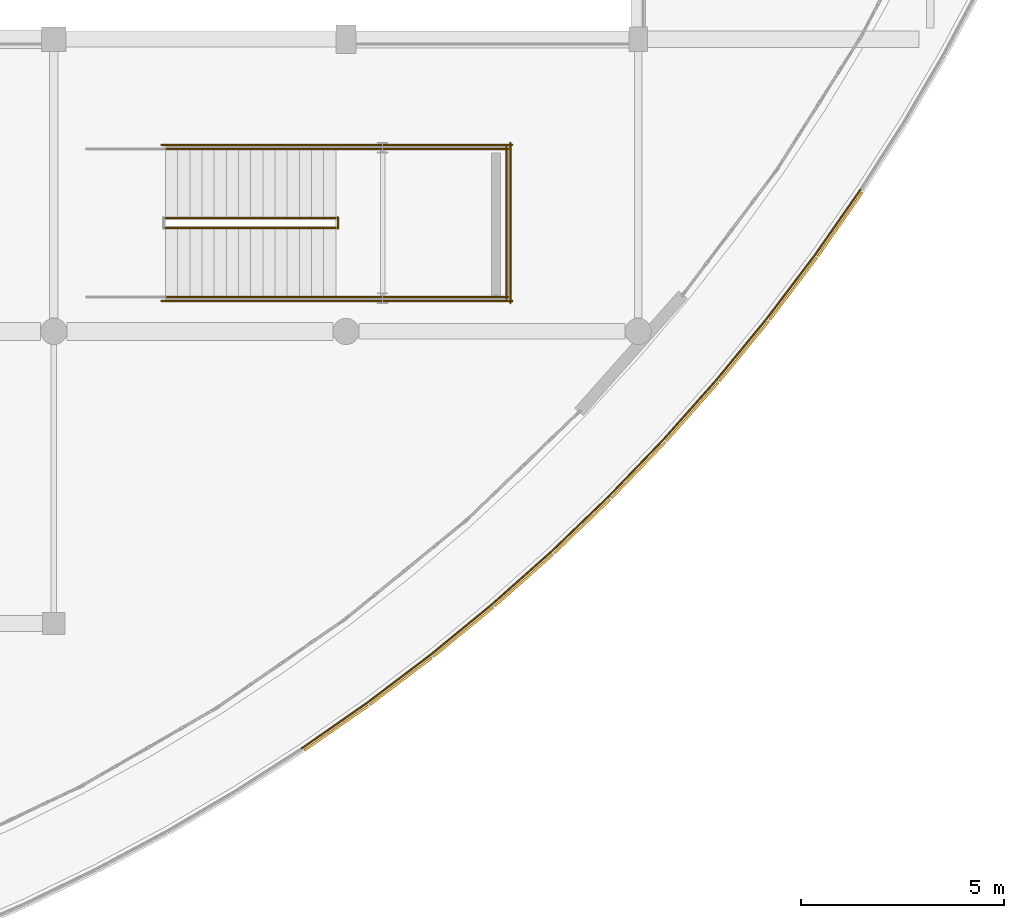
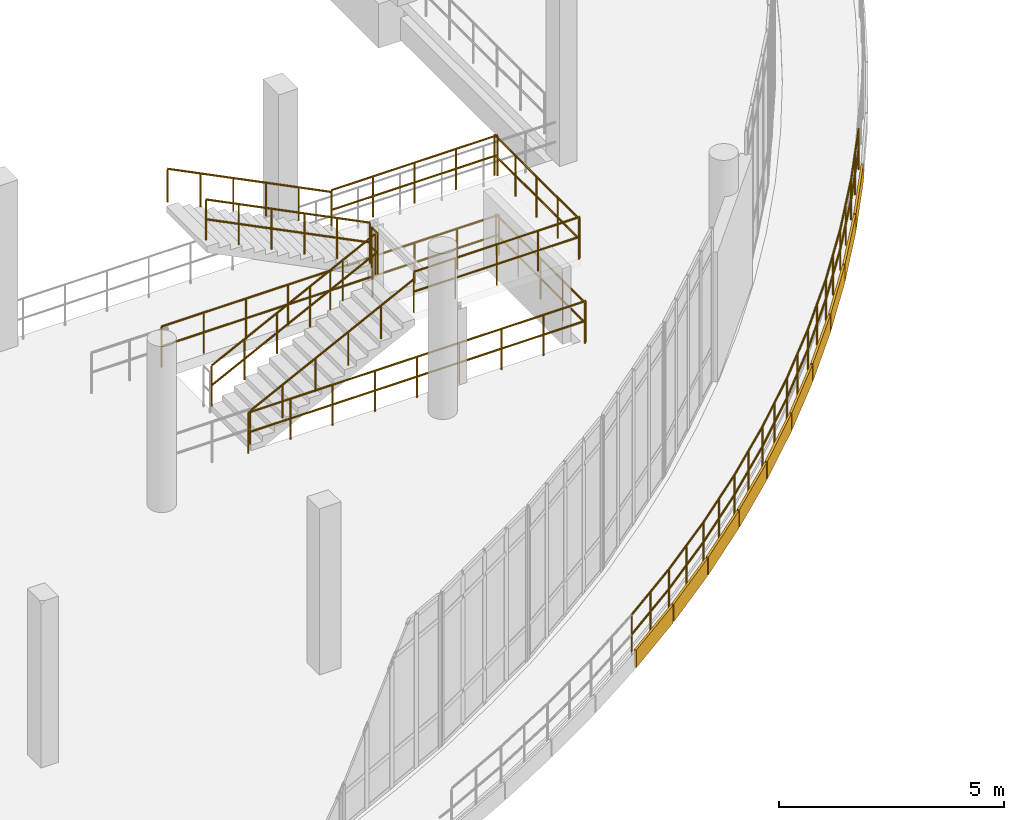
# One storey, part 117 of 124: 21 railings, 10 coverings.
"""IFC4 building model written with IfcOpenShell, lengths in metres."""

from ifc_helpers import new_model, si_unit, direction, frame, origin, origin_2d, place, context, subcontext, project, spatial, rectangle, circle, extrude, material, layer, layer_set, type_object, element, save


model = new_model("IFC4")

# Units and contexts
model_context = context("Model", 3, precision=1e-05, world=origin(), true_north=direction((0.0, 1.0)))
body_context = subcontext(model_context, "Body", "Model", "MODEL_VIEW")
ifc_project = project(units=[si_unit("LENGTHUNIT", "METRE"), si_unit("AREAUNIT", "SQUARE_METRE"), si_unit("VOLUMEUNIT", "CUBIC_METRE"), si_unit("PLANEANGLEUNIT", "RADIAN"), si_unit("MASSUNIT", "GRAM", prefix="KILO")], contexts=[model_context])

# Site, building, storey
site_placement = place(None, origin())
site = spatial("IfcSite", under=ifc_project, at=site_placement, CompositionType="ELEMENT")
building_placement = place(site_placement, origin())
building = spatial("IfcBuilding", under=site, at=building_placement, Name="Kalluvel Institute of Natural Sciences", CompositionType="ELEMENT")
storey_placement = place(building_placement, frame((0.0, 0.0, 9.89990234375)))
storey = spatial("IfcBuildingStorey", under=building, at=storey_placement, Name="L02", CompositionType="ELEMENT", Elevation=9.89990234375)

# Coverings
ifc_material_1 = material(Name="Sadarahalli Grey Granite Ashlar Concrete M40", Category="masonry")
ifc_layer = layer(ifc_material_1, 0.044921875)
ifc_layer_set = layer_set([ifc_layer], Name="Sadarahalli Grey Granite Ashlar Concrete M40")
covering_type = type_object("IfcCoveringType", Name="COV-CLAD-STONE", PredefinedType="CLADDING", material=ifc_layer_set)
for number, where, z_axis, x_axis, name in (
    (1, (64.160888671875, 61.820556640625, -0.31982421875), (0.0, 0.0, 1.0), (0.820451338314, 0.571716364519, 0.0), "L02 curved terrace Sadarahalli stone spandrel fascia 262"),
    (2, (65.747802734375, 62.973388671875, -0.31982421875), (0.0, 0.0, 1.0), (0.797267980545, 0.603625519008, 0.0), "L02 curved terrace Sadarahalli stone spandrel fascia 263"),
    (3, (67.2880859375, 64.187744140625, -0.31982421875), (0.0, 0.0, 1.0), (0.773065811677, 0.63432582386, 0.0), "L02 curved terrace Sadarahalli stone spandrel fascia 264"),
    (4, (68.779541015625, 65.461669921875, -0.31982421875), (0.0, 0.0, 1.0), (0.747450357056, 0.664317667789, 0.0), "L02 curved terrace Sadarahalli stone spandrel fascia 265"),
    (5, (70.219970703125, 66.793212890625, -0.31982421875), (0.0, 0.0, 1.0), (0.72091407724, 0.693024453563, 0.0), "L02 curved terrace Sadarahalli stone spandrel fascia 266"),
    (6, (71.60693359375, 68.179931640625, -0.31982421875), (0.0, 0.0, 1.0), (0.693024453563, 0.72091407724, 0.0), "L02 curved terrace Sadarahalli stone spandrel fascia 267"),
    (7, (72.938232421875, 69.620361328125, -0.31982421875), (0.0, 0.0, 1.0), (0.664317667789, 0.747450357056, 0.0), "L02 curved terrace Sadarahalli stone spandrel fascia 268"),
    (8, (74.212158203125, 71.11181640625, -0.31982421875), (0.0, 0.0, 1.0), (0.63432582386, 0.773065811677, 0.0), "L02 curved terrace Sadarahalli stone spandrel fascia 269"),
    (9, (75.426513671875, 72.652099609375, -0.31982421875), (0.0, 0.0, 1.0), (0.603625519008, 0.797267980545, 0.0), "L02 curved terrace Sadarahalli stone spandrel fascia 270"),
    (10, (76.579345703125, 74.239013671875, -0.31982421875), (0.0, 0.0, 1.0), (0.571716364519, 0.820451338314, 0.0), "L02 curved terrace Sadarahalli stone spandrel fascia 271"),
):
    element("IfcCovering", number, at=place(storey_placement, frame(where, z_axis=z_axis, x_axis=x_axis)), inside=storey, type_object=covering_type, Name=name, PredefinedType="CLADDING", context=body_context, shape_type="SweptSolid", body=[
        extrude(rectangle(XDim=1.92138671875, YDim=0.054931640625, at=origin_2d()), origin(), (0.0, 0.0, 1.0), 0.47998046875),
    ])

# Railings
ifc_material_2 = material(Name="Steel E350 Grade 350", Category="steel")
railing_type_1 = type_object("IfcRailingType", Name="RL-BAL-EXT", PredefinedType="BALUSTRADE", material=ifc_material_2)
railing_1_placement = place(storey_placement, frame((63.311767578125, 61.326416015625, 0.0)))
element("IfcRailing", 11, at=railing_1_placement, inside=storey, type_object=railing_type_1, Name="L02 curved atrium terrace balustrade", PredefinedType="BALUSTRADE", context=body_context, shape_type="SweptSolid", body=[
    extrude(circle(Radius=0.02392578125, at=origin_2d()), frame((0.0, 0.0, 1.09619140625), z_axis=(0.820424743832, 0.571754527493, 0.0), x_axis=(-0.571754527493, 0.820424743832, 0.0)), (0.0, 0.0, 1.0), 1.958740234375),
    extrude(circle(Radius=0.02392578125, at=origin_2d()), frame((0.0, 0.0, 0.56005859375), z_axis=(0.820424743832, 0.571754527493, 0.0), x_axis=(-0.571754527493, 0.820424743832, 0.0)), (0.0, 0.0, 1.0), 1.958740234375),
    extrude(circle(Radius=0.02099609375, at=origin_2d()), origin(), (0.0, 0.0, 1.0), 1.072021484375),
    extrude(circle(Radius=0.02099609375, at=origin_2d()), frame((0.803466796875, 0.56005859375, 0.0)), (0.0, 0.0, 1.0), 1.072021484375),
    extrude(circle(Radius=0.02099609375, at=origin_2d()), frame((1.60693359375, 1.119873046875, 0.0)), (0.0, 0.0, 1.0), 1.072021484375),
])
railing_2_placement = place(storey_placement, frame((64.918701171875, 62.4462890625, 0.0)))
element("IfcRailing", 12, at=railing_2_placement, inside=storey, type_object=railing_type_1, Name="L02 curved atrium terrace balustrade", PredefinedType="BALUSTRADE", context=body_context, shape_type="SweptSolid", body=[
    extrude(circle(Radius=0.02392578125, at=origin_2d()), frame((0.0, 0.0, 1.09619140625), z_axis=(0.797344783335, 0.603524064547, 0.0), x_axis=(-0.603524064547, 0.797344783335, 0.0)), (0.0, 0.0, 1.0), 1.958740234375),
    extrude(circle(Radius=0.02392578125, at=origin_2d()), frame((0.0, 0.0, 0.56005859375), z_axis=(0.797344783335, 0.603524064547, 0.0), x_axis=(-0.603524064547, 0.797344783335, 0.0)), (0.0, 0.0, 1.0), 1.958740234375),
    extrude(circle(Radius=0.02099609375, at=origin_2d()), origin(), (0.0, 0.0, 1.0), 1.072021484375),
    extrude(circle(Radius=0.02099609375, at=origin_2d()), frame((0.78076171875, 0.591064453125, 0.0)), (0.0, 0.0, 1.0), 1.072021484375),
    extrude(circle(Radius=0.02099609375, at=origin_2d()), frame((1.561767578125, 1.18212890625, 0.0)), (0.0, 0.0, 1.0), 1.072021484375),
])
railing_3_placement = place(storey_placement, frame((66.48046875, 63.62841796875, 0.0)))
element("IfcRailing", 13, at=railing_3_placement, inside=storey, type_object=railing_type_1, Name="L02 curved atrium terrace balustrade", PredefinedType="BALUSTRADE", context=body_context, shape_type="SweptSolid", body=[
    extrude(circle(Radius=0.02392578125, at=origin_2d()), frame((0.0, 0.0, 1.09619140625), z_axis=(0.773012237309, 0.634391110412, 0.0), x_axis=(-0.634391110412, 0.773012237309, 0.0)), (0.0, 0.0, 1.0), 1.95849609375),
    extrude(circle(Radius=0.02392578125, at=origin_2d()), frame((0.0, 0.0, 0.56005859375), z_axis=(0.773012237309, 0.634391110412, 0.0), x_axis=(-0.634391110412, 0.773012237309, 0.0)), (0.0, 0.0, 1.0), 1.95849609375),
    extrude(circle(Radius=0.02099609375, at=origin_2d()), origin(), (0.0, 0.0, 1.0), 1.072021484375),
    extrude(circle(Radius=0.02099609375, at=origin_2d()), frame((0.7568359375, 0.62109375, 0.0)), (0.0, 0.0, 1.0), 1.072021484375),
    extrude(circle(Radius=0.02099609375, at=origin_2d()), frame((1.513916015625, 1.242431640625, 0.0)), (0.0, 0.0, 1.0), 1.072021484375),
])
railing_4_placement = place(storey_placement, frame((67.994384765625, 64.870849609375, 0.0)))
element("IfcRailing", 14, at=railing_4_placement, inside=storey, type_object=railing_type_1, Name="L02 curved atrium terrace balustrade", PredefinedType="BALUSTRADE", context=body_context, shape_type="SweptSolid", body=[
    extrude(circle(Radius=0.02392578125, at=origin_2d()), frame((0.0, 0.0, 1.09619140625), z_axis=(0.747450576524, 0.664317420856, 0.0), x_axis=(-0.664317420856, 0.747450576524, 0.0)), (0.0, 0.0, 1.0), 1.958740234375),
    extrude(circle(Radius=0.02392578125, at=origin_2d()), frame((0.0, 0.0, 0.56005859375), z_axis=(0.747450576524, 0.664317420856, 0.0), x_axis=(-0.664317420856, 0.747450576524, 0.0)), (0.0, 0.0, 1.0), 1.958740234375),
    extrude(circle(Radius=0.02099609375, at=origin_2d()), origin(), (0.0, 0.0, 1.0), 1.072021484375),
    extrude(circle(Radius=0.02099609375, at=origin_2d()), frame((0.73193359375, 0.650634765625, 0.0)), (0.0, 0.0, 1.0), 1.072021484375),
    extrude(circle(Radius=0.02099609375, at=origin_2d()), frame((1.464111328125, 1.30126953125, 0.0)), (0.0, 0.0, 1.0), 1.072021484375),
])
railing_5_placement = place(storey_placement, frame((69.45849609375, 66.172119140625, 0.0)))
element("IfcRailing", 15, at=railing_5_placement, inside=storey, type_object=railing_type_1, Name="L02 curved atrium terrace balustrade", PredefinedType="BALUSTRADE", context=body_context, shape_type="SweptSolid", body=[
    extrude(circle(Radius=0.02392578125, at=origin_2d()), frame((0.0, 0.0, 1.09619140625), z_axis=(0.720928862719, 0.693009072739, 0.0), x_axis=(-0.693009072739, 0.720928862719, 0.0)), (0.0, 0.0, 1.0), 1.958740234375),
    extrude(circle(Radius=0.02392578125, at=origin_2d()), frame((0.0, 0.0, 0.56005859375), z_axis=(0.720928862719, 0.693009072739, 0.0), x_axis=(-0.693009072739, 0.720928862719, 0.0)), (0.0, 0.0, 1.0), 1.958740234375),
    extrude(circle(Radius=0.02099609375, at=origin_2d()), origin(), (0.0, 0.0, 1.0), 1.072021484375),
    extrude(circle(Radius=0.02099609375, at=origin_2d()), frame((0.7060546875, 0.6787109375, 0.0)), (0.0, 0.0, 1.0), 1.072021484375),
    extrude(circle(Radius=0.02099609375, at=origin_2d()), frame((1.412109375, 1.357421875, 0.0)), (0.0, 0.0, 1.0), 1.072021484375),
])
railing_6_placement = place(storey_placement, frame((70.87060546875, 67.529541015625, 0.0)))
element("IfcRailing", 16, at=railing_6_placement, inside=storey, type_object=railing_type_1, Name="L02 curved atrium terrace balustrade", PredefinedType="BALUSTRADE", context=body_context, shape_type="SweptSolid", body=[
    extrude(circle(Radius=0.02392578125, at=origin_2d()), frame((0.0, 0.0, 1.09619140625), z_axis=(0.693071348128, 0.720868993926, 0.0), x_axis=(-0.720868993926, 0.693071348128, 0.0)), (0.0, 0.0, 1.0), 1.95849609375),
    extrude(circle(Radius=0.02392578125, at=origin_2d()), frame((0.0, 0.0, 0.56005859375), z_axis=(0.693071348128, 0.720868993926, 0.0), x_axis=(-0.720868993926, 0.693071348128, 0.0)), (0.0, 0.0, 1.0), 1.95849609375),
    extrude(circle(Radius=0.02099609375, at=origin_2d()), origin(), (0.0, 0.0, 1.0), 1.072021484375),
    extrude(circle(Radius=0.02099609375, at=origin_2d()), frame((0.6787109375, 0.7060546875, 0.0)), (0.0, 0.0, 1.0), 1.072021484375),
    extrude(circle(Radius=0.02099609375, at=origin_2d()), frame((1.357421875, 1.411865234375, 0.0)), (0.0, 0.0, 1.0), 1.072021484375),
])
railing_7_placement = place(storey_placement, frame((72.22802734375, 68.94140625, 0.0)))
element("IfcRailing", 17, at=railing_7_placement, inside=storey, type_object=railing_type_1, Name="L02 curved atrium terrace balustrade", PredefinedType="BALUSTRADE", context=body_context, shape_type="SweptSolid", body=[
    extrude(circle(Radius=0.02392578125, at=origin_2d()), frame((0.0, 0.0, 1.09619140625), z_axis=(0.664247779482, 0.74751246642, 0.0), x_axis=(-0.74751246642, 0.664247779482, 0.0)), (0.0, 0.0, 1.0), 1.958740234375),
    extrude(circle(Radius=0.02392578125, at=origin_2d()), frame((0.0, 0.0, 0.56005859375), z_axis=(0.664247779482, 0.74751246642, 0.0), x_axis=(-0.74751246642, 0.664247779482, 0.0)), (0.0, 0.0, 1.0), 1.958740234375),
    extrude(circle(Radius=0.02099609375, at=origin_2d()), origin(), (0.0, 0.0, 1.0), 1.072021484375),
    extrude(circle(Radius=0.02099609375, at=origin_2d()), frame((0.650390625, 0.73193359375, 0.0)), (0.0, 0.0, 1.0), 1.072021484375),
    extrude(circle(Radius=0.02099609375, at=origin_2d()), frame((1.301025390625, 1.464111328125, 0.0)), (0.0, 0.0, 1.0), 1.072021484375),
])
railing_8_placement = place(storey_placement, frame((73.529052734375, 70.405517578125, 0.0)))
element("IfcRailing", 18, at=railing_8_placement, inside=storey, type_object=railing_type_1, Name="L02 curved atrium terrace balustrade", PredefinedType="BALUSTRADE", context=body_context, shape_type="SweptSolid", body=[
    extrude(circle(Radius=0.02392578125, at=origin_2d()), frame((0.0, 0.0, 1.09619140625), z_axis=(0.634329982391, 0.773062399448, 0.0), x_axis=(-0.773062399448, 0.634329982391, 0.0)), (0.0, 0.0, 1.0), 1.958740234375),
    extrude(circle(Radius=0.02392578125, at=origin_2d()), frame((0.0, 0.0, 0.56005859375), z_axis=(0.634329982391, 0.773062399448, 0.0), x_axis=(-0.773062399448, 0.634329982391, 0.0)), (0.0, 0.0, 1.0), 1.958740234375),
    extrude(circle(Radius=0.02099609375, at=origin_2d()), origin(), (0.0, 0.0, 1.0), 1.072021484375),
    extrude(circle(Radius=0.02099609375, at=origin_2d()), frame((0.62109375, 0.757080078125, 0.0)), (0.0, 0.0, 1.0), 1.072021484375),
    extrude(circle(Radius=0.02099609375, at=origin_2d()), frame((1.242431640625, 1.51416015625, 0.0)), (0.0, 0.0, 1.0), 1.072021484375),
])
railing_9_placement = place(storey_placement, frame((74.771484375, 71.919677734375, 0.0)))
element("IfcRailing", 19, at=railing_9_placement, inside=storey, type_object=railing_type_1, Name="L02 curved atrium terrace balustrade", PredefinedType="BALUSTRADE", context=body_context, shape_type="SweptSolid", body=[
    extrude(circle(Radius=0.02392578125, at=origin_2d()), frame((0.0, 0.0, 1.09619140625), z_axis=(0.603663282495, 0.797239387742, 0.0), x_axis=(-0.797239387742, 0.603663282495, 0.0)), (0.0, 0.0, 1.0), 1.958740234375),
    extrude(circle(Radius=0.02392578125, at=origin_2d()), frame((0.0, 0.0, 0.56005859375), z_axis=(0.603663282495, 0.797239387742, 0.0), x_axis=(-0.797239387742, 0.603663282495, 0.0)), (0.0, 0.0, 1.0), 1.958740234375),
    extrude(circle(Radius=0.02099609375, at=origin_2d()), origin(), (0.0, 0.0, 1.0), 1.072021484375),
    extrude(circle(Radius=0.02099609375, at=origin_2d()), frame((0.59130859375, 0.78076171875, 0.0)), (0.0, 0.0, 1.0), 1.072021484375),
    extrude(circle(Radius=0.02099609375, at=origin_2d()), frame((1.182373046875, 1.5615234375, 0.0)), (0.0, 0.0, 1.0), 1.072021484375),
])
railing_10_placement = place(storey_placement, frame((75.953857421875, 73.481201171875, 0.0)))
element("IfcRailing", 20, at=railing_10_placement, inside=storey, type_object=railing_type_1, Name="L02 curved atrium terrace balustrade", PredefinedType="BALUSTRADE", context=body_context, shape_type="SweptSolid", body=[
    extrude(circle(Radius=0.02392578125, at=origin_2d()), frame((0.0, 0.0, 1.09619140625), z_axis=(0.571754527493, 0.820424743832, 0.0), x_axis=(-0.820424743832, 0.571754527493, 0.0)), (0.0, 0.0, 1.0), 1.958740234375),
    extrude(circle(Radius=0.02392578125, at=origin_2d()), frame((0.0, 0.0, 0.56005859375), z_axis=(0.571754527493, 0.820424743832, 0.0), x_axis=(-0.820424743832, 0.571754527493, 0.0)), (0.0, 0.0, 1.0), 1.958740234375),
    extrude(circle(Radius=0.02099609375, at=origin_2d()), origin(), (0.0, 0.0, 1.0), 1.072021484375),
    extrude(circle(Radius=0.02099609375, at=origin_2d()), frame((0.56005859375, 0.803466796875, 0.0)), (0.0, 0.0, 1.0), 1.072021484375),
    extrude(circle(Radius=0.02099609375, at=origin_2d()), frame((1.119873046875, 1.60693359375, 0.0)), (0.0, 0.0, 1.0), 1.072021484375),
])
ifc_material_3 = material(Name="Galvanized Fire-Rated Steel", Category="steel")
railing_type_2 = type_object("IfcRailingType", Name="RL-GD-STAIR", PredefinedType="BALUSTRADE", material=ifc_material_3)
railing_11_placement = place(storey_placement, frame((59.949951171875, 74.14990234375, 0.150146484375)))
element("IfcRailing", 21, at=railing_11_placement, inside=storey, type_object=railing_type_2, Name="L02 ST6 stair guard 1", PredefinedType="BALUSTRADE", context=body_context, shape_type="SweptSolid", body=[
    extrude(circle(Radius=0.02392578125, at=origin_2d()), frame((0.0, 0.0, 1.09619140625), z_axis=(0.894437589381, 0.0, 0.447192798132), x_axis=(0.0, 1.0, 0.0)), (0.0, 0.0, 1.0), 4.695556640625),
    extrude(circle(Radius=0.02392578125, at=origin_2d()), frame((0.0, 0.0, 0.56005859375), z_axis=(0.894437589381, 0.0, 0.447192798132), x_axis=(0.0, 1.0, 0.0)), (0.0, 0.0, 1.0), 4.695556640625),
    extrude(circle(Radius=0.02099609375, at=origin_2d()), origin(), (0.0, 0.0, 1.0), 1.072021484375),
    extrude(circle(Radius=0.02099609375, at=origin_2d()), frame((0.840087890625, 0.0, 0.419921875)), (0.0, 0.0, 1.0), 1.072021484375),
    extrude(circle(Radius=0.02099609375, at=origin_2d()), frame((1.679931640625, 0.0, 0.83984375)), (0.0, 0.0, 1.0), 1.072021484375),
    extrude(circle(Radius=0.02099609375, at=origin_2d()), frame((2.52001953125, 0.0, 1.260009765625)), (0.0, 0.0, 1.0), 1.072021484375),
    extrude(circle(Radius=0.02099609375, at=origin_2d()), frame((3.35986328125, 0.0, 1.679931640625)), (0.0, 0.0, 1.0), 1.072021484375),
    extrude(circle(Radius=0.02099609375, at=origin_2d()), frame((4.199951171875, 0.0, 2.099853515625)), (0.0, 0.0, 1.0), 1.072021484375),
])
railing_12_placement = place(storey_placement, frame((64.199951171875, 74.135009765625, 2.25)))
element("IfcRailing", 22, at=railing_12_placement, inside=storey, type_object=railing_type_2, Name="L02 ST6 stair guard 2", PredefinedType="BALUSTRADE", context=body_context, shape_type="SweptSolid", body=[
    extrude(circle(Radius=0.02392578125, at=origin_2d()), frame((0.0, 0.0, 1.09619140625), z_axis=(0.0, 1.0, 0.0), x_axis=(-1.0, 0.0, 0.0)), (0.0, 0.0, 1.0), 0.280029296875),
    extrude(circle(Radius=0.02392578125, at=origin_2d()), frame((0.0, 0.0, 0.56005859375), z_axis=(0.0, 1.0, 0.0), x_axis=(-1.0, 0.0, 0.0)), (0.0, 0.0, 1.0), 0.280029296875),
    extrude(circle(Radius=0.02099609375, at=origin_2d()), origin(), (0.0, 0.0, 1.0), 1.072021484375),
    extrude(circle(Radius=0.02099609375, at=origin_2d()), frame((0.0, 0.280029296875, 0.0)), (0.0, 0.0, 1.0), 1.072021484375),
])
for number, where, name in (
    (23, (64.14990234375, 72.449951171875, 2.25), "L02 ST6 stair guard 3"),
    (24, (64.14990234375, 76.10009765625, 2.25), "L02 ST6 stair guard 4"),
):
    element("IfcRailing", number, at=place(storey_placement, frame(where)), inside=storey, type_object=railing_type_2, Name=name, PredefinedType="BALUSTRADE", context=body_context, shape_type="SweptSolid", body=[
        extrude(circle(Radius=0.02392578125, at=origin_2d()), frame((0.0, 0.0, 1.09619140625), z_axis=(1.0, 0.0, 0.0), x_axis=(0.0, 1.0, 0.0)), (0.0, 0.0, 1.0), 4.25),
        extrude(circle(Radius=0.02392578125, at=origin_2d()), frame((0.0, 0.0, 0.56005859375), z_axis=(1.0, 0.0, 0.0), x_axis=(0.0, 1.0, 0.0)), (0.0, 0.0, 1.0), 4.25),
        extrude(circle(Radius=0.02099609375, at=origin_2d()), origin(), (0.0, 0.0, 1.0), 1.072021484375),
        extrude(circle(Radius=0.02099609375, at=origin_2d()), frame((1.0625, 0.0, 0.0)), (0.0, 0.0, 1.0), 1.072021484375),
        extrude(circle(Radius=0.02099609375, at=origin_2d()), frame((2.125, 0.0, 0.0)), (0.0, 0.0, 1.0), 1.072021484375),
        extrude(circle(Radius=0.02099609375, at=origin_2d()), frame((3.1875, 0.0, 0.0)), (0.0, 0.0, 1.0), 1.072021484375),
        extrude(circle(Radius=0.02099609375, at=origin_2d()), frame((4.25, 0.0, 0.0)), (0.0, 0.0, 1.0), 1.072021484375),
    ])
railing_13_placement = place(storey_placement, frame((68.35009765625, 72.39990234375, 2.25)))
element("IfcRailing", 25, at=railing_13_placement, inside=storey, type_object=railing_type_2, Name="L02 ST6 stair guard 5", PredefinedType="BALUSTRADE", context=body_context, shape_type="SweptSolid", body=[
    extrude(circle(Radius=0.02392578125, at=origin_2d()), frame((0.0, 0.0, 1.09619140625), z_axis=(0.0, 1.0, 0.0), x_axis=(-1.0, 0.0, 0.0)), (0.0, 0.0, 1.0), 3.75),
    extrude(circle(Radius=0.02392578125, at=origin_2d()), frame((0.0, 0.0, 0.56005859375), z_axis=(0.0, 1.0, 0.0), x_axis=(-1.0, 0.0, 0.0)), (0.0, 0.0, 1.0), 3.75),
    extrude(circle(Radius=0.02099609375, at=origin_2d()), origin(), (0.0, 0.0, 1.0), 1.072021484375),
    extrude(circle(Radius=0.02099609375, at=origin_2d()), frame((0.0, 0.9375, 0.0)), (0.0, 0.0, 1.0), 1.072021484375),
    extrude(circle(Radius=0.02099609375, at=origin_2d()), frame((0.0, 1.875, 0.0)), (0.0, 0.0, 1.0), 1.072021484375),
    extrude(circle(Radius=0.02099609375, at=origin_2d()), frame((0.0, 2.8125, 0.0)), (0.0, 0.0, 1.0), 1.072021484375),
    extrude(circle(Radius=0.02099609375, at=origin_2d()), frame((0.0, 3.75, 0.0)), (0.0, 0.0, 1.0), 1.072021484375),
])
railing_14_placement = place(storey_placement, frame((64.14990234375, 74.39990234375, 2.400146484375)))
element("IfcRailing", 26, at=railing_14_placement, inside=storey, type_object=railing_type_2, Name="L02 ST6 stair guard 6", PredefinedType="BALUSTRADE", context=body_context, shape_type="SweptSolid", body=[
    extrude(circle(Radius=0.02392578125, at=origin_2d()), frame((0.0, 0.0, 1.09619140625), z_axis=(-0.894437589381, 0.0, 0.447192798132), x_axis=(0.0, -1.0, 0.0)), (0.0, 0.0, 1.0), 4.695556640625),
    extrude(circle(Radius=0.02392578125, at=origin_2d()), frame((0.0, 0.0, 0.56005859375), z_axis=(-0.894437589381, 0.0, 0.447192798132), x_axis=(0.0, -1.0, 0.0)), (0.0, 0.0, 1.0), 4.695556640625),
    extrude(circle(Radius=0.02099609375, at=origin_2d()), origin(), (0.0, 0.0, 1.0), 1.072021484375),
    extrude(circle(Radius=0.02099609375, at=origin_2d()), frame((-0.840087890625, 0.0, 0.419921875)), (0.0, 0.0, 1.0), 1.072021484375),
    extrude(circle(Radius=0.02099609375, at=origin_2d()), frame((-1.679931640625, 0.0, 0.83984375)), (0.0, 0.0, 1.0), 1.072021484375),
    extrude(circle(Radius=0.02099609375, at=origin_2d()), frame((-2.52001953125, 0.0, 1.260009765625)), (0.0, 0.0, 1.0), 1.072021484375),
    extrude(circle(Radius=0.02099609375, at=origin_2d()), frame((-3.35986328125, 0.0, 1.679931640625)), (0.0, 0.0, 1.0), 1.072021484375),
    extrude(circle(Radius=0.02099609375, at=origin_2d()), frame((-4.199951171875, 0.0, 2.099853515625)), (0.0, 0.0, 1.0), 1.072021484375),
])
for number, where, name in (
    (27, (59.85009765625, 72.35009765625, 0.0), "L02 ST6 stair guard 10"),
    (28, (59.85009765625, 76.199951171875, 0.0), "L02 ST6 stair guard 11"),
):
    element("IfcRailing", number, at=place(storey_placement, frame(where)), inside=storey, type_object=railing_type_2, Name=name, PredefinedType="BALUSTRADE", context=body_context, shape_type="SweptSolid", body=[
        extrude(circle(Radius=0.02392578125, at=origin_2d()), frame((0.0, 0.0, 1.09619140625), z_axis=(1.0, 0.0, 0.0), x_axis=(0.0, 1.0, 0.0)), (0.0, 0.0, 1.0), 8.64990234375),
        extrude(circle(Radius=0.02392578125, at=origin_2d()), frame((0.0, 0.0, 0.56005859375), z_axis=(1.0, 0.0, 0.0), x_axis=(0.0, 1.0, 0.0)), (0.0, 0.0, 1.0), 8.64990234375),
        extrude(circle(Radius=0.02099609375, at=origin_2d()), origin(), (0.0, 0.0, 1.0), 1.072021484375),
        extrude(circle(Radius=0.02099609375, at=origin_2d()), frame((1.081298828125, 0.0, 0.0)), (0.0, 0.0, 1.0), 1.072021484375),
        extrude(circle(Radius=0.02099609375, at=origin_2d()), frame((2.16259765625, 0.0, 0.0)), (0.0, 0.0, 1.0), 1.072021484375),
        extrude(circle(Radius=0.02099609375, at=origin_2d()), frame((3.24365234375, 0.0, 0.0)), (0.0, 0.0, 1.0), 1.072021484375),
        extrude(circle(Radius=0.02099609375, at=origin_2d()), frame((4.324951171875, 0.0, 0.0)), (0.0, 0.0, 1.0), 1.072021484375),
        extrude(circle(Radius=0.02099609375, at=origin_2d()), frame((5.40625, 0.0, 0.0)), (0.0, 0.0, 1.0), 1.072021484375),
        extrude(circle(Radius=0.02099609375, at=origin_2d()), frame((6.4873046875, 0.0, 0.0)), (0.0, 0.0, 1.0), 1.072021484375),
        extrude(circle(Radius=0.02099609375, at=origin_2d()), frame((7.568603515625, 0.0, 0.0)), (0.0, 0.0, 1.0), 1.072021484375),
        extrude(circle(Radius=0.02099609375, at=origin_2d()), frame((8.64990234375, 0.0, 0.0)), (0.0, 0.0, 1.0), 1.072021484375),
    ])
railing_15_placement = place(storey_placement, frame((68.449951171875, 72.300048828125, 0.0)))
element("IfcRailing", 29, at=railing_15_placement, inside=storey, type_object=railing_type_2, Name="L02 ST6 stair guard 12", PredefinedType="BALUSTRADE", context=body_context, shape_type="SweptSolid", body=[
    extrude(circle(Radius=0.02392578125, at=origin_2d()), frame((0.0, 0.0, 1.09619140625), z_axis=(0.0, 1.0, 0.0), x_axis=(-1.0, 0.0, 0.0)), (0.0, 0.0, 1.0), 3.949951171875),
    extrude(circle(Radius=0.02392578125, at=origin_2d()), frame((0.0, 0.0, 0.56005859375), z_axis=(0.0, 1.0, 0.0), x_axis=(-1.0, 0.0, 0.0)), (0.0, 0.0, 1.0), 3.949951171875),
    extrude(circle(Radius=0.02099609375, at=origin_2d()), origin(), (0.0, 0.0, 1.0), 1.072021484375),
    extrude(circle(Radius=0.02099609375, at=origin_2d()), frame((0.0, 0.987548828125, 0.0)), (0.0, 0.0, 1.0), 1.072021484375),
    extrude(circle(Radius=0.02099609375, at=origin_2d()), frame((0.0, 1.97509765625, 0.0)), (0.0, 0.0, 1.0), 1.072021484375),
    extrude(circle(Radius=0.02099609375, at=origin_2d()), frame((0.0, 2.96240234375, 0.0)), (0.0, 0.0, 1.0), 1.072021484375),
    extrude(circle(Radius=0.02099609375, at=origin_2d()), frame((0.0, 3.949951171875, 0.0)), (0.0, 0.0, 1.0), 1.072021484375),
])
railing_type_3 = type_object("IfcRailingType", Name="RL-HR-STAIR", PredefinedType="HANDRAIL", material=ifc_material_3)
railing_16_placement = place(storey_placement, frame((59.949951171875, 72.449951171875, 0.150146484375)))
element("IfcRailing", 30, at=railing_16_placement, inside=storey, type_object=railing_type_3, Name="L02 ST6 stair handrail 1", PredefinedType="HANDRAIL", context=body_context, shape_type="SweptSolid", body=[
    extrude(circle(Radius=0.02392578125, at=origin_2d()), frame((0.0, 0.0, 0.89599609375), z_axis=(0.894437589381, 0.0, 0.447192798132), x_axis=(0.0, 1.0, 0.0)), (0.0, 0.0, 1.0), 4.695556640625),
    extrude(circle(Radius=0.02099609375, at=origin_2d()), origin(), (0.0, 0.0, 1.0), 0.871826171875),
    extrude(circle(Radius=0.02099609375, at=origin_2d()), frame((0.840087890625, 0.0, 0.419921875)), (0.0, 0.0, 1.0), 0.871826171875),
    extrude(circle(Radius=0.02099609375, at=origin_2d()), frame((1.679931640625, 0.0, 0.83984375)), (0.0, 0.0, 1.0), 0.871826171875),
    extrude(circle(Radius=0.02099609375, at=origin_2d()), frame((2.52001953125, 0.0, 1.260009765625)), (0.0, 0.0, 1.0), 0.871826171875),
    extrude(circle(Radius=0.02099609375, at=origin_2d()), frame((3.35986328125, 0.0, 1.679931640625)), (0.0, 0.0, 1.0), 0.871826171875),
    extrude(circle(Radius=0.02099609375, at=origin_2d()), frame((4.199951171875, 0.0, 2.099853515625)), (0.0, 0.0, 1.0), 0.871826171875),
])
railing_17_placement = place(storey_placement, frame((64.14990234375, 76.10009765625, 2.400146484375)))
element("IfcRailing", 31, at=railing_17_placement, inside=storey, type_object=railing_type_3, Name="L02 ST6 stair handrail 2", PredefinedType="HANDRAIL", context=body_context, shape_type="SweptSolid", body=[
    extrude(circle(Radius=0.02392578125, at=origin_2d()), frame((0.0, 0.0, 0.89599609375), z_axis=(-0.894437589381, 0.0, 0.447192798132), x_axis=(0.0, -1.0, 0.0)), (0.0, 0.0, 1.0), 4.695556640625),
    extrude(circle(Radius=0.02099609375, at=origin_2d()), origin(), (0.0, 0.0, 1.0), 0.871826171875),
    extrude(circle(Radius=0.02099609375, at=origin_2d()), frame((-0.840087890625, 0.0, 0.419921875)), (0.0, 0.0, 1.0), 0.871826171875),
    extrude(circle(Radius=0.02099609375, at=origin_2d()), frame((-1.679931640625, 0.0, 0.83984375)), (0.0, 0.0, 1.0), 0.871826171875),
    extrude(circle(Radius=0.02099609375, at=origin_2d()), frame((-2.52001953125, 0.0, 1.260009765625)), (0.0, 0.0, 1.0), 0.871826171875),
    extrude(circle(Radius=0.02099609375, at=origin_2d()), frame((-3.35986328125, 0.0, 1.679931640625)), (0.0, 0.0, 1.0), 0.871826171875),
    extrude(circle(Radius=0.02099609375, at=origin_2d()), frame((-4.199951171875, 0.0, 2.099853515625)), (0.0, 0.0, 1.0), 0.871826171875),
])

save(model, "model.ifc")
